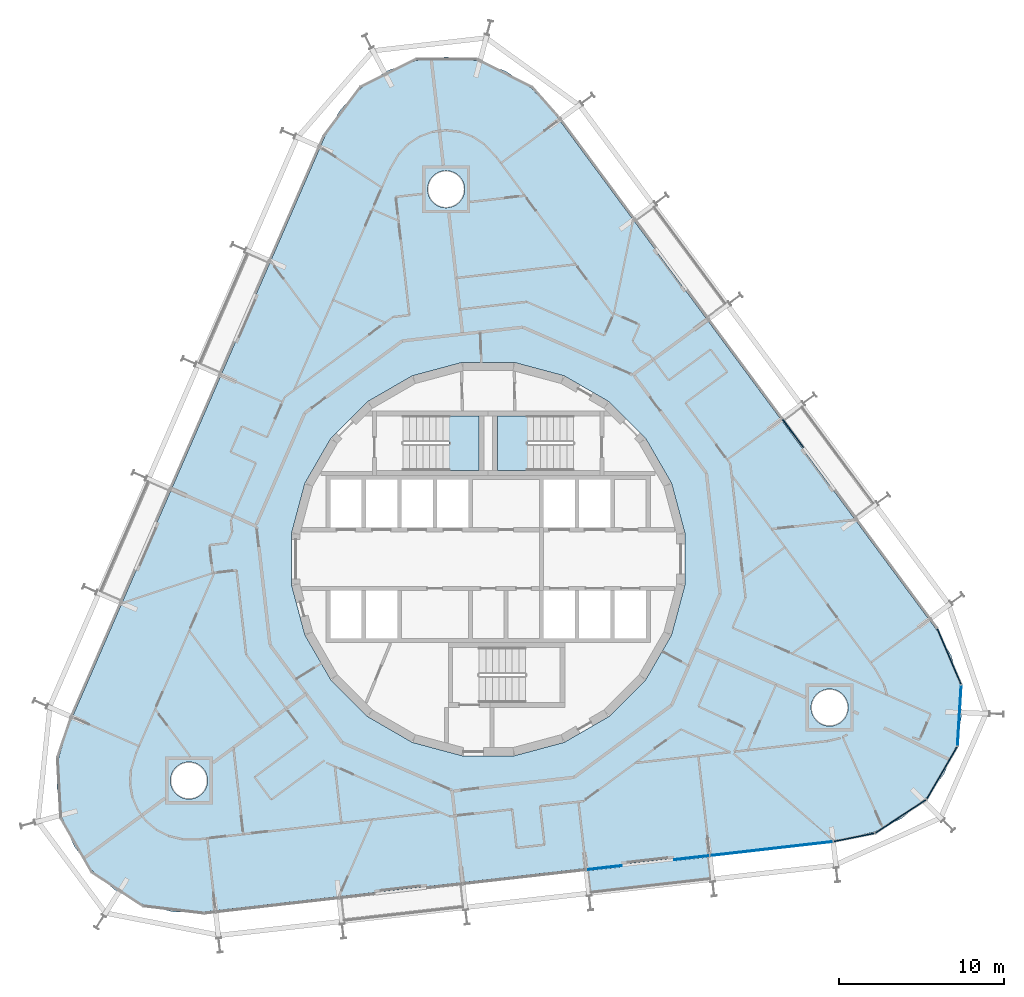
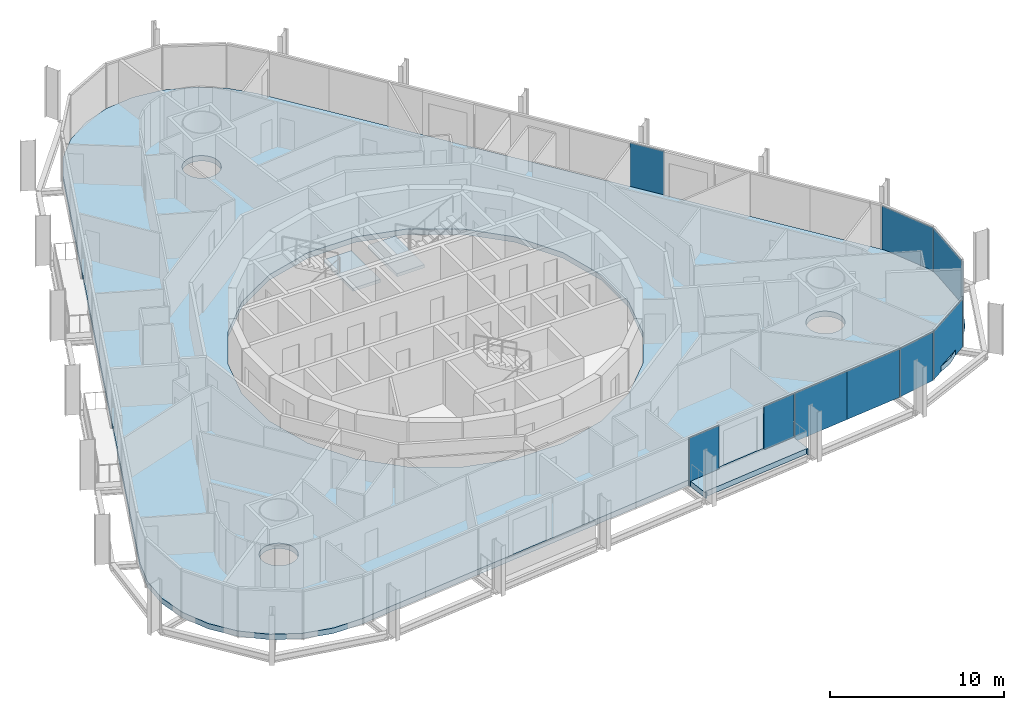
# One storey, part 14 of 23: 10 plates, 4 slabs, 5 elements without a shape of their own.
"""IFC4 building model written with IfcOpenShell, lengths in metres."""

from ifc_helpers import new_model, si_unit, direction, frame, origin, origin_2d, place, context, subcontext, project, spatial, polyline, rectangle, outline, extrude, material, layer, layer_set, type_object, element, aggregate, save


model = new_model("IFC4")

# Units and contexts
model_context = context("Model", 3, precision=1e-05, world=origin(), true_north=direction((0.0, 1.0)))
body_context = subcontext(model_context, "Body", "Model", "MODEL_VIEW")
ifc_project = project(units=[si_unit("LENGTHUNIT", "METRE"), si_unit("AREAUNIT", "SQUARE_METRE"), si_unit("VOLUMEUNIT", "CUBIC_METRE"), si_unit("PLANEANGLEUNIT", "RADIAN"), si_unit("MASSUNIT", "GRAM", prefix="KILO")], contexts=[model_context])

# Site, building, storey
site_placement = place(None, origin())
site = spatial("IfcSite", under=ifc_project, at=site_placement, CompositionType="ELEMENT")
building_placement = place(site_placement, origin())
building = spatial("IfcBuilding", under=site, at=building_placement, Name="Spindle Arch Residences", CompositionType="ELEMENT")
storey_placement = place(building_placement, frame((0.0, 0.0, 83.699951171875)))
storey = spatial("IfcBuildingStorey", under=building, at=storey_placement, Name="L19", CompositionType="ELEMENT", Elevation=83.699951171875)

# Slab
ifc_material_1 = material(Name="Concrete C40/50", Category="concrete")
ifc_layer_1 = layer(ifc_material_1, 0.3798828125)
ifc_layer_set_1 = layer_set([ifc_layer_1], Name="Balcony slab 380")
slab_type_1 = type_object("IfcSlabType", Name="Balcony slab 380", PredefinedType="FLOOR", material=ifc_layer_set_1)
slab_1_placement = place(storey_placement, frame((0.0, 0.0, -0.3798828125)))
element("IfcSlab", 1, at=slab_1_placement, inside=storey, type_object=slab_type_1, Name="Balcony L19 bay 1", PredefinedType="FLOOR", context=body_context, shape_type="SweptSolid", body=[
    extrude(outline(polyline([(6.176513671875, -20.339111328125), (6.2509765625, -20.33056640625), (6.234130859375, -20.181640625), (13.406494140625, -19.3642578125), (13.423583984375, -19.513427734375), (13.498046875, -19.5048828125), (13.329345703125, -18.0244140625), (11.25830078125, -18.260498046875), (11.240234375, -18.1015625), (8.060791015625, -18.463623046875), (8.078857421875, -18.62255859375), (6.0078125, -18.858642578125), (6.176513671875, -20.339111328125)])), origin(), (0.0, 0.0, 1.0), 0.3798828125),
])

# Stair, slab
ifc_material_2 = material(Name="Concrete C50/60", Category="concrete")
stair_type = type_object("IfcStairType", Name="Exit stair 16 risers", PredefinedType="HALF_TURN_STAIR", material=ifc_material_2)
stair_1_placement = place(storey_placement, origin())
stair_1 = element("IfcStair", 2, at=stair_1_placement, inside=storey, type_object=stair_type, Name="L19 Exit stair ST1", PredefinedType="HALF_TURN_STAIR")
ifc_material_3 = material(Name="Concrete C50/60", Category="concrete")
ifc_layer_2 = layer(ifc_material_3, 0.219970703125)
ifc_layer_set_2 = layer_set([ifc_layer_2], Name="Exit stair landing 220")
slab_type_2 = type_object("IfcSlabType", Name="Exit stair landing 220", PredefinedType="LANDING", material=ifc_layer_set_2)
slab_2_placement = place(storey_placement, frame((0.0, 0.0, 1.530029296875)))
slab_2 = element("IfcSlab", 3, at=slab_2_placement, type_object=slab_type_2, Name="ST1 landing 1", PredefinedType="LANDING", context=body_context, shape_type="SweptSolid", body=[
    extrude(outline(polyline([(2.3701171875, 8.669921875), (0.550048828125, 8.669921875), (0.550048828125, 5.35009765625), (2.3701171875, 5.35009765625), (2.3701171875, 8.669921875)])), origin(), (0.0, 0.0, 1.0), 0.219970703125),
])
aggregate(stair_1, [slab_2])

stair_2_placement = place(storey_placement, origin())
stair_2 = element("IfcStair", 4, at=stair_2_placement, inside=storey, type_object=stair_type, Name="L19 Exit stair ST2", PredefinedType="HALF_TURN_STAIR")
slab_3_placement = place(storey_placement, frame((0.0, 0.0, 1.530029296875)))
slab_3 = element("IfcSlab", 5, at=slab_3_placement, type_object=slab_type_2, Name="ST2 landing 1", PredefinedType="LANDING", context=body_context, shape_type="SweptSolid", body=[
    extrude(outline(polyline([(-2.3701171875, 5.35009765625), (-0.550048828125, 5.35009765625), (-0.550048828125, 8.669921875), (-2.3701171875, 8.669921875), (-2.3701171875, 5.35009765625)])), origin(), (0.0, 0.0, 1.0), 0.219970703125),
])
aggregate(stair_2, [slab_3])

# Slab
ifc_material_4 = material(Name="Concrete C40/50", Category="concrete")
ifc_layer_3 = layer(ifc_material_4, 0.3798828125)
ifc_layer_set_3 = layer_set([ifc_layer_3], Name="Floor slab 380")
slab_type_3 = type_object("IfcSlabType", Name="Floor slab 380", PredefinedType="FLOOR", material=ifc_layer_set_3)
slab_4_placement = place(storey_placement, frame((0.0, 0.0, -0.3798828125)))
element("IfcSlab", 6, at=slab_4_placement, inside=storey, type_object=slab_type_3, Name="Floor slab L19", PredefinedType="FLOOR", context=body_context, shape_type="SweptSolid", body=[
    extrude(outline(polyline([(-19.05078125, -21.335693359375), (-20.85693359375, -20.902099609375), (-22.514404296875, -20.0634765625), (-23.933837890625, -18.865478515625), (-25.038818359375, -17.372314453125), (-25.769287109375, -15.66455078125), (-26.086669921875, -13.83447265625), (-25.973388671875, -11.98046875), (-25.435302734375, -10.202392578125), (-9.88525390625, 25.560302734375), (-8.951904296875, 27.166259765625), (-7.673095703125, 28.513671875), (-6.118408203125, 29.52978515625), (-4.37109375, 30.159912109375), (-2.525390625, 30.370361328125), (-0.68115234375, 30.1494140625), (1.0625, 29.5087890625), (2.611328125, 28.483642578125), (3.882080078125, 27.12890625), (27.07861328125, -4.21923828125), (28.002685546875, -5.83056640625), (28.530029296875, -7.611572265625), (28.6328125, -9.46630859375), (28.304931640625, -11.294677734375), (27.564208984375, -12.998046875), (26.45068359375, -14.484619140625), (25.0244140625, -15.674560546875), (23.36181640625, -16.50341796875), (21.55322265625, -16.926513671875), (2.179931640625, -19.1337890625), (-17.193115234375, -21.341064453125), (-19.05078125, -21.335693359375)]), holes=[polyline([(7.30517578125, -9.520263671875), (9.520263671875, -7.30517578125), (11.086669921875, -4.59228515625), (11.897216796875, -1.56640625), (11.897216796875, 1.56640625), (11.086669921875, 4.59228515625), (9.520263671875, 7.30517578125), (7.30517578125, 9.520263671875), (4.59228515625, 11.086669921875), (1.56640625, 11.897216796875), (-1.56640625, 11.897216796875), (-4.59228515625, 11.086669921875), (-7.30517578125, 9.520263671875), (-9.520263671875, 7.30517578125), (-11.086669921875, 4.59228515625), (-11.897216796875, 1.56640625), (-11.897216796875, -1.56640625), (-11.086669921875, -4.59228515625), (-9.520263671875, -7.30517578125), (-7.30517578125, -9.520263671875), (-4.59228515625, -11.086669921875), (-1.56640625, -11.897216796875), (1.56640625, -11.897216796875), (4.59228515625, -11.086669921875), (7.30517578125, -9.520263671875)]), polyline([(-17.303466796875, -14.18798828125), (-17.16357421875, -14.017578125), (-17.0595703125, -13.822998046875), (-16.99560546875, -13.612060546875), (-16.973876953125, -13.392578125), (-16.99560546875, -13.173095703125), (-17.0595703125, -12.9619140625), (-17.16357421875, -12.767578125), (-17.303466796875, -12.596923828125), (-17.473876953125, -12.45703125), (-17.66845703125, -12.35302734375), (-17.87939453125, -12.2890625), (-18.098876953125, -12.267578125), (-18.318359375, -12.2890625), (-18.529296875, -12.35302734375), (-18.723876953125, -12.45703125), (-18.894287109375, -12.596923828125), (-19.0341796875, -12.767578125), (-19.13818359375, -12.9619140625), (-19.202392578125, -13.173095703125), (-19.223876953125, -13.392578125), (-19.202392578125, -13.612060546875), (-19.13818359375, -13.822998046875), (-19.0341796875, -14.017578125), (-18.894287109375, -14.18798828125), (-18.723876953125, -14.327880859375), (-18.529296875, -14.431884765625), (-18.318359375, -14.495849609375), (-18.098876953125, -14.517578125), (-17.87939453125, -14.495849609375), (-17.66845703125, -14.431884765625), (-17.473876953125, -14.327880859375), (-17.303466796875, -14.18798828125)]), polyline([(-1.75341796875, 21.57470703125), (-1.61328125, 21.745361328125), (-1.509521484375, 21.939697265625), (-1.4453125, 22.15087890625), (-1.423828125, 22.370361328125), (-1.4453125, 22.58984375), (-1.509521484375, 22.80078125), (-1.61328125, 22.995361328125), (-1.75341796875, 23.165771484375), (-1.923828125, 23.3056640625), (-2.118408203125, 23.40966796875), (-2.329345703125, 23.4736328125), (-2.548828125, 23.495361328125), (-2.768310546875, 23.4736328125), (-2.979248046875, 23.40966796875), (-3.173828125, 23.3056640625), (-3.34423828125, 23.165771484375), (-3.484130859375, 22.995361328125), (-3.588134765625, 22.80078125), (-3.652099609375, 22.58984375), (-3.673828125, 22.370361328125), (-3.652099609375, 22.15087890625), (-3.588134765625, 21.939697265625), (-3.484130859375, 21.745361328125), (-3.34423828125, 21.57470703125), (-3.173828125, 21.434814453125), (-2.979248046875, 21.330810546875), (-2.768310546875, 21.266845703125), (-2.548828125, 21.245361328125), (-2.329345703125, 21.266845703125), (-2.118408203125, 21.330810546875), (-1.923828125, 21.434814453125), (-1.75341796875, 21.57470703125)]), polyline([(21.443115234375, -9.773193359375), (21.5830078125, -9.602783203125), (21.68701171875, -9.408203125), (21.7509765625, -9.197265625), (21.772705078125, -8.977783203125), (21.7509765625, -8.75830078125), (21.68701171875, -8.54736328125), (21.5830078125, -8.352783203125), (21.443115234375, -8.182373046875), (21.272705078125, -8.04248046875), (21.078125, -7.9384765625), (20.8671875, -7.87451171875), (20.647705078125, -7.852783203125), (20.427978515625, -7.87451171875), (20.217041015625, -7.9384765625), (20.022705078125, -8.04248046875), (19.85205078125, -8.182373046875), (19.712158203125, -8.352783203125), (19.608154296875, -8.54736328125), (19.544189453125, -8.75830078125), (19.522705078125, -8.977783203125), (19.544189453125, -9.197265625), (19.608154296875, -9.408203125), (19.712158203125, -9.602783203125), (19.85205078125, -9.773193359375), (20.022705078125, -9.9130859375), (20.217041015625, -10.01708984375), (20.427978515625, -10.081298828125), (20.647705078125, -10.102783203125), (20.8671875, -10.081298828125), (21.078125, -10.01708984375), (21.272705078125, -9.9130859375), (21.443115234375, -9.773193359375)])]), origin(), (0.0, 0.0, 1.0), 0.3798828125),
])

# Curtain wall, plates
ifc_material_5 = material(Name="Aluminium bronze unitised frame with tinted glass", Category="aluminium")
ifc_layer_4 = layer(ifc_material_5, 0.159912109375)
ifc_layer_set_4 = layer_set([ifc_layer_4], Name="CW-D corner wall on the fillet arcs")
curtain_wall_type_1 = type_object("IfcCurtainWallType", Name="CW-D corner wall on the fillet arcs", PredefinedType="NOTDEFINED", material=ifc_layer_set_4)
curtain_wall_1_placement = place(storey_placement, origin())
curtain_wall_1 = element("IfcCurtainWall", 7, at=curtain_wall_1_placement, inside=storey, type_object=curtain_wall_type_1, Name="CW-D L19 run 1", PredefinedType="NOTDEFINED")
ifc_material_6 = material(Name="Tinted double glazing over aluminium faced non-combustible spandrel zone (K0)", Category="aluminium")
ifc_layer_5 = layer(ifc_material_6, 0.06005859375)
ifc_layer_set_5 = layer_set([ifc_layer_5], Name="Unitised glass panel with E 60 spandrel zone")
plate_type = type_object("IfcPlateType", Name="Unitised glass panel with E 60 spandrel zone", PredefinedType="CURTAIN_PANEL", material=ifc_layer_set_5)
plate_1_placement = place(storey_placement, frame((22.127197265625, -16.83203125, -0.3798828125), z_axis=(0.0, 0.0, 1.0), x_axis=(0.980430998553, 0.196863041416, 0.0)))
plate_1 = element("IfcPlate", 8, at=plate_1_placement, type_object=plate_type, Name="CW-D unit 00", PredefinedType="CURTAIN_PANEL", context=body_context, shape_type="SweptSolid", body=[
    extrude(rectangle(XDim=2.51416015625, YDim=0.06005859375, at=origin_2d()), origin(), (0.0, 0.0, 1.0), 3.3798828125),
])
plate_2_placement = place(storey_placement, frame((24.948974609375, -15.55908203125, -0.3798828125), z_axis=(0.0, 0.0, 1.0), x_axis=(0.83708272954, 0.547076323657, 0.0)))
plate_2 = element("IfcPlate", 9, at=plate_2_placement, type_object=plate_type, Name="CW-D unit 01", PredefinedType="CURTAIN_PANEL", context=body_context, shape_type="SweptSolid", body=[
    extrude(rectangle(XDim=3.666748046875, YDim=0.06005859375, at=origin_2d()), origin(), (0.0, 0.0, 1.0), 3.3798828125),
])
plate_3_placement = place(storey_placement, frame((27.445068359375, -12.9287109375, -0.3798828125), z_axis=(0.0, 0.0, 1.0), x_axis=(0.502517045345, 0.864567301682, 0.0)))
plate_3 = element("IfcPlate", 10, at=plate_3_placement, type_object=plate_type, Name="CW-D unit 02", PredefinedType="CURTAIN_PANEL", context=body_context, shape_type="SweptSolid", body=[
    extrude(rectangle(XDim=3.666748046875, YDim=0.06005859375, at=origin_2d()), origin(), (0.0, 0.0, 1.0), 3.3798828125),
])
plate_4_placement = place(storey_placement, frame((28.4951171875, -9.457763671875, -0.3798828125), z_axis=(0.0, 0.0, 1.0), x_axis=(0.06104853612, 0.998134798631, 0.0)))
plate_4 = element("IfcPlate", 11, at=plate_4_placement, type_object=plate_type, Name="CW-D unit 03", PredefinedType="CURTAIN_PANEL", context=body_context, shape_type="SweptSolid", body=[
    extrude(rectangle(XDim=3.666748046875, YDim=0.06005859375, at=origin_2d()), origin(), (0.0, 0.0, 1.0), 3.3798828125),
])
plate_5_placement = place(storey_placement, frame((27.8759765625, -5.884765625, -0.3798828125), z_axis=(0.0, 0.0, 1.0), x_axis=(-0.393407112882, 0.919364369298, 0.0)))
plate_5 = element("IfcPlate", 12, at=plate_5_placement, type_object=plate_type, Name="CW-D unit 04", PredefinedType="CURTAIN_PANEL", context=body_context, shape_type="SweptSolid", body=[
    extrude(rectangle(XDim=3.666748046875, YDim=0.06005859375, at=origin_2d()), origin(), (0.0, 0.0, 1.0), 3.3798828125),
])
aggregate(curtain_wall_1, [plate_1, plate_2, plate_3, plate_4, plate_5])

# Curtain wall, plate
ifc_material_7 = material(Name="Aluminium bronze unitised frame with tinted glass", Category="aluminium")
ifc_layer_6 = layer(ifc_material_7, 0.159912109375)
ifc_layer_set_6 = layer_set([ifc_layer_6], Name="CW-C typical residential unitised wall")
curtain_wall_type_2 = type_object("IfcCurtainWallType", Name="CW-C typical residential unitised wall", PredefinedType="NOTDEFINED", material=ifc_layer_set_6)
curtain_wall_2_placement = place(storey_placement, origin())
curtain_wall_2 = element("IfcCurtainWall", 13, at=curtain_wall_2_placement, inside=storey, type_object=curtain_wall_type_2, Name="CW-C L19 run 2", PredefinedType="NOTDEFINED")
plate_6_placement = place(storey_placement, frame((18.431884765625, 7.600341796875, -0.3798828125), z_axis=(0.0, 0.0, 1.0), x_axis=(-0.594822786751, 0.803856860617, 0.0)))
plate_6 = element("IfcPlate", 14, at=plate_6_placement, type_object=plate_type, Name="CW-C unit 06R", PredefinedType="CURTAIN_PANEL", context=body_context, shape_type="SweptSolid", body=[
    extrude(rectangle(XDim=2.12939453125, YDim=0.06005859375, at=origin_2d()), origin(), (0.0, 0.0, 1.0), 3.3798828125),
])
aggregate(curtain_wall_2, [plate_6])

# Curtain wall, plates
curtain_wall_3_placement = place(storey_placement, origin())
curtain_wall_3 = element("IfcCurtainWall", 15, at=curtain_wall_3_placement, inside=storey, type_object=curtain_wall_type_2, Name="CW-C L19 run 6", PredefinedType="NOTDEFINED")
plate_7_placement = place(storey_placement, frame((7.011962890625, -18.663818359375, -0.3798828125), z_axis=(0.0, 0.0, 1.0), x_axis=(0.993571855677, 0.113203213768, 0.0)))
plate_7 = element("IfcPlate", 16, at=plate_7_placement, type_object=plate_type, Name="CW-C unit 00L", PredefinedType="CURTAIN_PANEL", context=body_context, shape_type="SweptSolid", body=[
    extrude(rectangle(XDim=2.12939453125, YDim=0.06005859375, at=origin_2d()), origin(), (0.0, 0.0, 1.0), 3.3798828125),
])
plate_8_placement = place(storey_placement, frame((12.30712890625, -18.060302734375, -0.3798828125), z_axis=(0.0, 0.0, 1.0), x_axis=(0.993571855677, 0.113203213768, 0.0)))
plate_8 = element("IfcPlate", 17, at=plate_8_placement, type_object=plate_type, Name="CW-C unit 00R", PredefinedType="CURTAIN_PANEL", context=body_context, shape_type="SweptSolid", body=[
    extrude(rectangle(XDim=2.12939453125, YDim=0.06005859375, at=origin_2d()), origin(), (0.0, 0.0, 1.0), 3.3798828125),
])
plate_9_placement = place(storey_placement, frame((15.27734375, -17.721923828125, -0.3798828125), z_axis=(0.0, 0.0, 1.0), x_axis=(0.993571855677, 0.113203213768, 0.0)))
plate_9 = element("IfcPlate", 18, at=plate_9_placement, type_object=plate_type, Name="CW-C unit 01A", PredefinedType="CURTAIN_PANEL", context=body_context, shape_type="SweptSolid", body=[
    extrude(rectangle(XDim=3.7294921875, YDim=0.06005859375, at=origin_2d()), origin(), (0.0, 0.0, 1.0), 3.3798828125),
])
plate_10_placement = place(storey_placement, frame((18.982666015625, -17.2998046875, -0.3798828125), z_axis=(0.0, 0.0, 1.0), x_axis=(0.993571855677, 0.113203213768, 0.0)))
plate_10 = element("IfcPlate", 19, at=plate_10_placement, type_object=plate_type, Name="CW-C unit 01B", PredefinedType="CURTAIN_PANEL", context=body_context, shape_type="SweptSolid", body=[
    extrude(rectangle(XDim=3.7294921875, YDim=0.06005859375, at=origin_2d()), origin(), (0.0, 0.0, 1.0), 3.3798828125),
])
aggregate(curtain_wall_3, [plate_7, plate_8, plate_9, plate_10])

save(model, "model.ifc")
